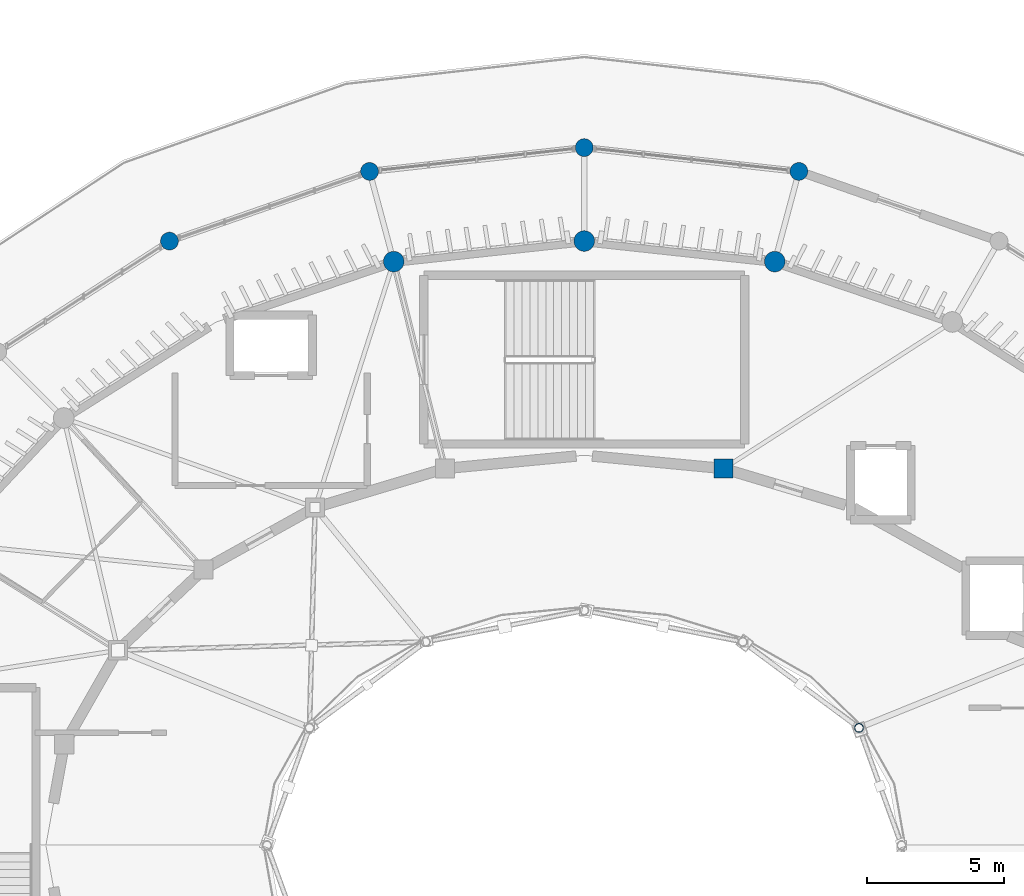
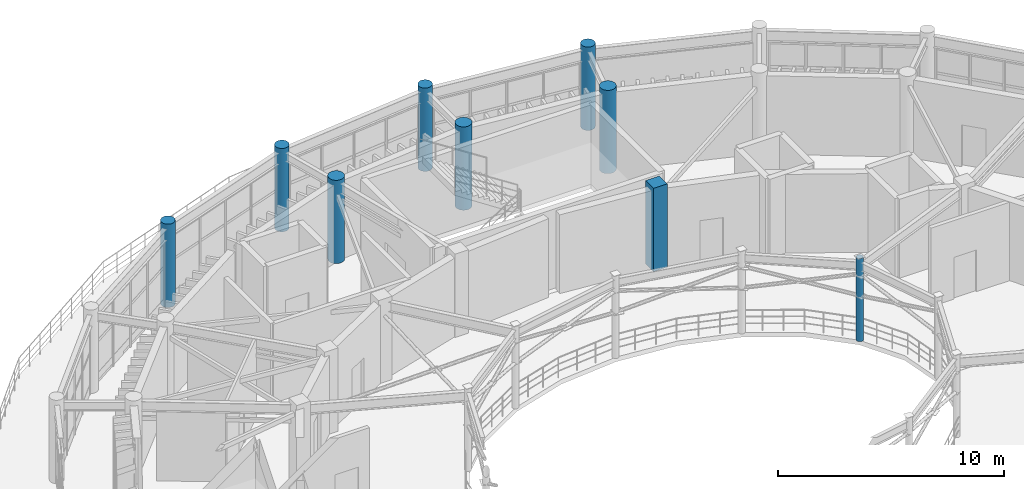
# One storey, part 4 of 45: 9 columns.
"""IFC4 building model written with IfcOpenShell, lengths in metres."""

from ifc_helpers import new_model, si_unit, direction, frame, origin, origin_2d, place, context, subcontext, project, spatial, rectangle, circle, hollow_circle, extrude, material, material_profile, profile_set, type_object, element, save


model = new_model("IFC4")

# Units and contexts
model_context = context("Model", 3, precision=1e-05, world=origin(), true_north=direction((0.0, 1.0)))
body_context = subcontext(model_context, "Body", "Model", "MODEL_VIEW")
ifc_project = project(units=[si_unit("LENGTHUNIT", "METRE"), si_unit("AREAUNIT", "SQUARE_METRE"), si_unit("VOLUMEUNIT", "CUBIC_METRE"), si_unit("PLANEANGLEUNIT", "RADIAN"), si_unit("MASSUNIT", "GRAM", prefix="KILO")], contexts=[model_context])

# Site, building, storey
site_placement = place(None, origin())
site = spatial("IfcSite", under=ifc_project, at=site_placement, CompositionType="ELEMENT")
building_placement = place(site_placement, origin())
building = spatial("IfcBuilding", under=site, at=building_placement, Name="Cinderbank Siding Concert Hall", CompositionType="ELEMENT")
storey_placement = place(building_placement, frame((0.0, 0.0, 19.199951171875)))
storey = spatial("IfcBuildingStorey", under=building, at=storey_placement, Name="L05", CompositionType="ELEMENT", Elevation=19.199951171875)

# Columns
ifc_material_1 = material(Name="Structural steel hollow section AS/NZS 1163 Grade C350L0 (350 MPa)", Category="steel")
ifc_material_profile_1 = material_profile(ifc_material_1, hollow_circle(Radius=0.161865234375, WallThickness=0.0126953125, at=origin_2d()), Name="323.9x12.7CHS", Category="LoadBearing")
ifc_profile_set_1 = profile_set([ifc_material_profile_1], Name="Structural steel hollow section AS/NZS 1163 Grade C350L0 (350 MPa)")
column_type_1 = type_object("IfcColumnType", Name="C-CHS323 323.9x12.7CHS", PredefinedType="COLUMN", material=ifc_profile_set_1)
column_1_placement = place(storey_placement, frame((132.0029296875, 48.27490234375, 0.0), z_axis=(0.0, 0.0, 1.0), x_axis=(1.0, 0.0, 0.0)))
element("IfcColumn", 1, at=column_1_placement, inside=storey, type_object=column_type_1, Name="L05 Column COL-E0-03", PredefinedType="COLUMN", context=body_context, shape_type="SweptSolid", body=[
    extrude(hollow_circle(Radius=0.161865234375, WallThickness=0.0126953125, at=origin_2d()), origin(), (0.0, 0.0, 1.0), 4.47998046875),
])
ifc_material_2 = material(Name="Reinforced concrete AS 3600 N50 (50 MPa)", Category="concrete")
ifc_material_profile_2 = material_profile(ifc_material_2, rectangle(XDim=0.699951171875, YDim=0.699951171875, at=origin_2d()), Name="RC-COL-700x700", Category="LoadBearing")
ifc_profile_set_2 = profile_set([ifc_material_profile_2], Name="Reinforced concrete AS 3600 N50 (50 MPa)")
column_type_2 = type_object("IfcColumnType", Name="C-RC700 RC-COL-700x700", PredefinedType="COLUMN", material=ifc_profile_set_2)
column_2_placement = place(storey_placement, frame((127.072998046875, 57.716064453125, 0.0), z_axis=(0.0, 0.0, 1.0), x_axis=(1.0, 0.0, 0.0)))
element("IfcColumn", 2, at=column_2_placement, inside=storey, type_object=column_type_2, Name="L05 Column COL-E1-06", PredefinedType="COLUMN", context=body_context, shape_type="SweptSolid", body=[
    extrude(rectangle(XDim=0.699951171875, YDim=0.699951171875, at=origin_2d()), origin(), (0.0, 0.0, 1.0), 4.5),
])
ifc_material_profile_3 = material_profile(ifc_material_2, circle(Radius=0.324951171875, at=origin_2d()), Name="RC-COL-650DIA", Category="LoadBearing")
ifc_profile_set_3 = profile_set([ifc_material_profile_3], Name="Reinforced concrete AS 3600 N50 (50 MPa)")
column_type_3 = type_object("IfcColumnType", Name="C-RCD650 RC-COL-650DIA", PredefinedType="COLUMN", material=ifc_profile_set_3)
for number, where, z_axis, x_axis, name in (
    (3, (129.81591796875, 68.533935546875, 0.0), (0.0, 0.0, 1.0), (1.0, 0.0, 0.0), "L05 Column COL-E3-06"),
    (4, (122.0, 69.39990234375, 0.0), (0.0, 0.0, 1.0), (1.0, 0.0, 0.0), "L05 Column COL-E3-07"),
    (5, (114.18408203125, 68.533935546875, 0.0), (0.0, 0.0, 1.0), (1.0, 0.0, 0.0), "L05 Column COL-E3-08"),
    (6, (106.89990234375, 65.9970703125, 0.0), (0.0, 0.0, 1.0), (1.0, 0.0, 0.0), "L05 Column COL-E3-09"),
):
    element("IfcColumn", number, at=place(storey_placement, frame(where, z_axis=z_axis, x_axis=x_axis)), inside=storey, type_object=column_type_3, Name=name, PredefinedType="COLUMN", context=body_context, shape_type="SweptSolid", body=[
        extrude(circle(Radius=0.324951171875, at=origin_2d()), origin(), (0.0, 0.0, 1.0), 4.5),
    ])
ifc_material_profile_4 = material_profile(ifc_material_2, circle(Radius=0.375, at=origin_2d()), Name="RC-COL-750DIA", Category="LoadBearing")
ifc_profile_set_4 = profile_set([ifc_material_profile_4], Name="Reinforced concrete AS 3600 N50 (50 MPa)")
column_type_4 = type_object("IfcColumnType", Name="C-RCD750 RC-COL-750DIA", PredefinedType="COLUMN", material=ifc_profile_set_4)
for number, where, z_axis, x_axis, name in (
    (7, (128.93603515625, 65.25, 0.0), (0.0, 0.0, 1.0), (1.0, 0.0, 0.0), "L05 Column COL-E2-06"),
    (8, (122.0, 66.0, 0.0), (0.0, 0.0, 1.0), (1.0, 0.0, 0.0), "L05 Column COL-E2-07"),
    (9, (115.06396484375, 65.25, 0.0), (0.0, 0.0, 1.0), (1.0, 0.0, 0.0), "L05 Column COL-E2-08"),
):
    element("IfcColumn", number, at=place(storey_placement, frame(where, z_axis=z_axis, x_axis=x_axis)), inside=storey, type_object=column_type_4, Name=name, PredefinedType="COLUMN", context=body_context, shape_type="SweptSolid", body=[
        extrude(circle(Radius=0.375, at=origin_2d()), origin(), (0.0, 0.0, 1.0), 4.5),
    ])

save(model, "model.ifc")
